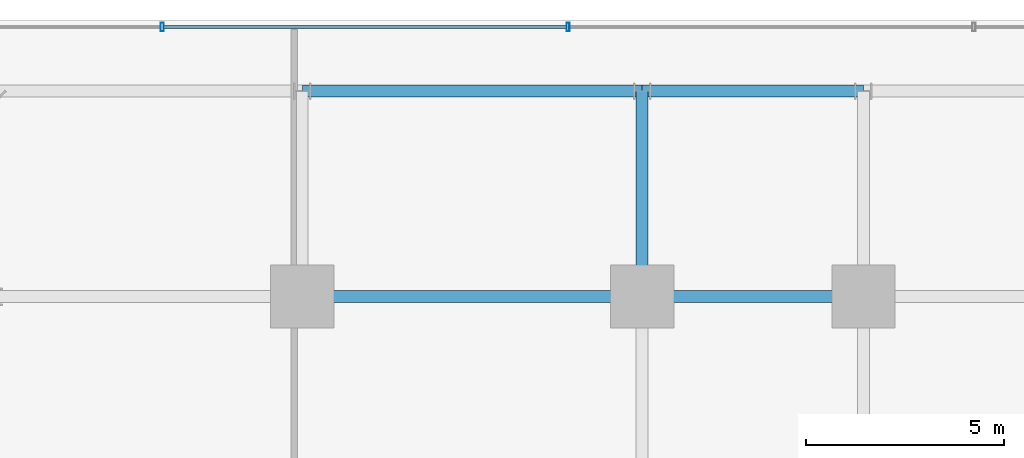
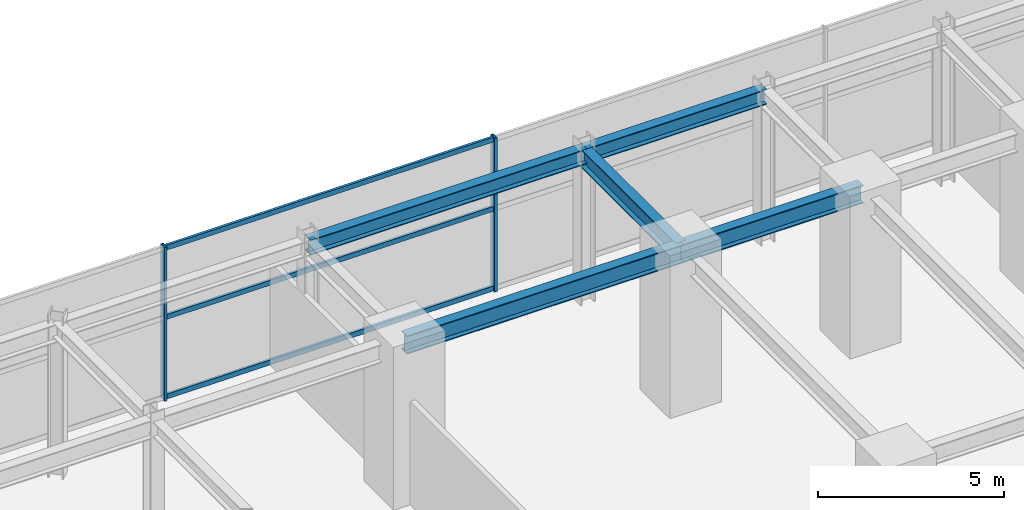
# One storey, part 16 of 32: 5 beams, 5 members, 1 element without a shape of its own.
"""IFC4 building model written with IfcOpenShell, lengths in metres."""

from ifc_helpers import new_model, si_unit, direction, frame, origin, origin_2d, place, context, subcontext, project, spatial, hollow_rectangle, i_section, extrude, source, transform, mapped, material, material_profile, profile_set, type_object, element, aggregate, save


model = new_model("IFC4")

# Units and contexts
model_context = context("Model", 3, precision=1e-05, world=origin(), true_north=direction((0.0, 1.0)))
body_context = subcontext(model_context, "Body", "Model", "MODEL_VIEW")
ifc_project = project(units=[si_unit("LENGTHUNIT", "METRE"), si_unit("AREAUNIT", "SQUARE_METRE"), si_unit("VOLUMEUNIT", "CUBIC_METRE"), si_unit("PLANEANGLEUNIT", "RADIAN"), si_unit("MASSUNIT", "GRAM", prefix="KILO")], contexts=[model_context])

# Site, building, storey
site_placement = place(None, origin())
site = spatial("IfcSite", under=ifc_project, at=site_placement, CompositionType="ELEMENT")
building_placement = place(site_placement, origin())
building = spatial("IfcBuilding", under=site, at=building_placement, Name="Nahalor Promenade Grand Hotel", CompositionType="ELEMENT")
storey_placement = place(building_placement, frame((0.0, 0.0, 10.800048828125)))
storey = spatial("IfcBuildingStorey", under=building, at=storey_placement, Name="L02", CompositionType="ELEMENT", Elevation=10.800048828125)

# Beams
ifc_material_1 = material(Name="Steel S355JR", Category="steel")
ifc_material_profile_1 = material_profile(ifc_material_1, i_section(OverallWidth=0.3, OverallDepth=0.6, WebThickness=0.0155, FlangeThickness=0.03, at=origin_2d()), Name="HEB 600")
ifc_profile_set_1 = profile_set([ifc_material_profile_1], Name="Steel S355JR")
beam_type_1 = type_object("IfcBeamType", Name="Beam-Girder-HEB600", PredefinedType="BEAM", material=ifc_profile_set_1)
shared_shape_1 = source(origin(), body_context, "Body", "SweptSolid", [
    extrude(i_section(OverallWidth=0.3, OverallDepth=0.6, WebThickness=0.0155, FlangeThickness=0.03, at=origin_2d()), origin(), (0.0, 0.0, 1.0), 8.60009765625),
])
beam_1_placement = place(storey_placement, frame((-17.0, 17.0, 4.760009765625), z_axis=(1.0, 0.0, 0.0), x_axis=(0.0, 1.0, 0.0)))
element("IfcBeam", 1, at=beam_1_placement, inside=storey, type_object=beam_type_1, Name="BM-L02-GX-3-2", PredefinedType="BEAM", context=body_context, shape_type="MappedRepresentation", body=[
    mapped(shared_shape_1, transform((0.0, 0.0, 0.0), scale=1.0)),
])
shared_shape_2 = source(origin(), body_context, "Body", "SweptSolid", [
    extrude(i_section(OverallWidth=0.3, OverallDepth=0.6, WebThickness=0.0155, FlangeThickness=0.03, at=origin_2d()), origin(), (0.0, 0.0, 1.0), 5.599853515625),
])
beam_2_placement = place(storey_placement, frame((-8.39990234375, 17.0, 4.760009765625), z_axis=(1.0, 0.0, 0.0), x_axis=(0.0, 1.0, 0.0)))
element("IfcBeam", 2, at=beam_2_placement, inside=storey, type_object=beam_type_1, Name="BM-L02-GX-3-3", PredefinedType="BEAM", context=body_context, shape_type="MappedRepresentation", body=[
    mapped(shared_shape_2, transform((0.0, 0.0, 0.0), scale=1.0)),
])
shared_shape_3 = source(origin(), body_context, "Body", "SweptSolid", [
    extrude(i_section(OverallWidth=0.3, OverallDepth=0.6, WebThickness=0.0155, FlangeThickness=0.03, at=origin_2d()), origin(), (0.0, 0.0, 1.0), 5.199951171875),
])
beam_3_placement = place(storey_placement, frame((-8.39990234375, 17.0, 4.760009765625), z_axis=(0.0, 1.0, 0.0), x_axis=(-1.0, 0.0, 0.0)))
element("IfcBeam", 3, at=beam_3_placement, inside=storey, type_object=beam_type_1, Name="BM-L02-GY-1-4", PredefinedType="BEAM", context=body_context, shape_type="MappedRepresentation", body=[
    mapped(shared_shape_3, transform((0.0, 0.0, 0.0), scale=1.0)),
])
ifc_material_profile_2 = material_profile(ifc_material_1, i_section(OverallWidth=0.3, OverallDepth=0.5, WebThickness=0.0145, FlangeThickness=0.028, at=origin_2d()), Name="HEB 500")
ifc_profile_set_2 = profile_set([ifc_material_profile_2], Name="Steel S355JR")
beam_type_2 = type_object("IfcBeamType", Name="Beam-Spandrel-HEB500", PredefinedType="SPANDREL", material=ifc_profile_set_2)
shared_shape_4 = source(origin(), body_context, "Body", "SweptSolid", [
    extrude(i_section(OverallWidth=0.3, OverallDepth=0.5, WebThickness=0.0145, FlangeThickness=0.028, at=origin_2d()), origin(), (0.0, 0.0, 1.0), 8.60009765625),
])
beam_4_placement = place(storey_placement, frame((-17.0, 22.199951171875, 4.81005859375), z_axis=(1.0, 0.0, 0.0), x_axis=(0.0, 1.0, 0.0)))
element("IfcBeam", 4, at=beam_4_placement, inside=storey, type_object=beam_type_2, Name="BM-L02-SP-N-0", PredefinedType="SPANDREL", context=body_context, shape_type="MappedRepresentation", body=[
    mapped(shared_shape_4, transform((0.0, 0.0, 0.0), scale=1.0)),
])
shared_shape_5 = source(origin(), body_context, "Body", "SweptSolid", [
    extrude(i_section(OverallWidth=0.3, OverallDepth=0.5, WebThickness=0.0145, FlangeThickness=0.028, at=origin_2d()), origin(), (0.0, 0.0, 1.0), 5.599853515625),
])
beam_5_placement = place(storey_placement, frame((-8.39990234375, 22.199951171875, 4.81005859375), z_axis=(1.0, 0.0, 0.0), x_axis=(0.0, 1.0, 0.0)))
element("IfcBeam", 5, at=beam_5_placement, inside=storey, type_object=beam_type_2, Name="BM-L02-SP-N-1", PredefinedType="SPANDREL", context=body_context, shape_type="MappedRepresentation", body=[
    mapped(shared_shape_5, transform((0.0, 0.0, 0.0), scale=1.0)),
])

# Curtain wall, members
ifc_material_2 = material(Name="Anodised Bronze Aluminium EN AW-6063 T6", Category="aluminium")
curtain_wall_type = type_object("IfcCurtainWallType", Name="CW1 Waterfront Podium Bronze Arcade Curtain Wall", PredefinedType="USERDEFINED", material=ifc_material_2)
curtain_wall_placement = place(storey_placement, origin())
curtain_wall = element("IfcCurtainWall", 6, at=curtain_wall_placement, inside=storey, type_object=curtain_wall_type, Name="L02 Curtain Wall CW-L02-N", ObjectType="UNITISED_CURTAIN_WALL", PredefinedType="USERDEFINED")
ifc_material_profile_3 = material_profile(ifc_material_2, hollow_rectangle(XDim=0.08, YDim=0.22, WallThickness=0.005, at=origin_2d()), Name="CWM 80x220x5")
ifc_profile_set_3 = profile_set([ifc_material_profile_3], Name="Anodised Bronze Aluminium EN AW-6063 T6")
member_type_1 = type_object("IfcMemberType", Name="CWM1 Podium Bronze Mullion 80x220", PredefinedType="MULLION", material=ifc_profile_set_3)
shared_shape_6 = source(origin(), body_context, "Body", "SweptSolid", [
    extrude(hollow_rectangle(XDim=0.08, YDim=0.22, WallThickness=0.005, at=origin_2d()), origin(), (0.0, 0.0, 1.0), 5.06005859375),
])
member_1_placement = place(storey_placement, frame((-20.546630859375, 23.820068359375, 0.0), z_axis=(0.0, 0.0, 1.0), x_axis=(1.0, 0.0, 0.0)))
member_1 = element("IfcMember", 7, at=member_1_placement, type_object=member_type_1, Name="CW-L02-N Mullion 1", PredefinedType="MULLION", context=body_context, shape_type="MappedRepresentation", body=[
    mapped(shared_shape_6, transform((0.0, 0.0, 0.0), scale=1.0)),
])
member_2_placement = place(storey_placement, frame((-10.2734375, 23.820068359375, 0.0), z_axis=(0.0, 0.0, 1.0), x_axis=(1.0, 0.0, 0.0)))
member_2 = element("IfcMember", 8, at=member_2_placement, type_object=member_type_1, Name="CW-L02-N Mullion 2", PredefinedType="MULLION", context=body_context, shape_type="MappedRepresentation", body=[
    mapped(shared_shape_6, transform((0.0, 0.0, 0.0), scale=1.0)),
])
ifc_material_profile_4 = material_profile(ifc_material_2, hollow_rectangle(XDim=0.08, YDim=0.16, WallThickness=0.004, at=origin_2d()), Name="CWT 80x160x4")
ifc_profile_set_4 = profile_set([ifc_material_profile_4], Name="Anodised Bronze Aluminium EN AW-6063 T6")
member_type_2 = type_object("IfcMemberType", Name="CWT1 Podium Bronze Transom 80x160", PredefinedType="USERDEFINED", material=ifc_profile_set_4)
shared_shape_7 = source(origin(), body_context, "Body", "SweptSolid", [
    extrude(hollow_rectangle(XDim=0.08, YDim=0.16, WallThickness=0.004, at=origin_2d()), origin(), (0.0, 0.0, 1.0), 10.193359375),
])
member_3_placement = place(storey_placement, frame((-20.506591796875, 23.820068359375, 0.079833984375), z_axis=(1.0, 0.0, 0.0), x_axis=(0.0, 1.0, 0.0)))
member_3 = element("IfcMember", 9, at=member_3_placement, type_object=member_type_2, Name="CW-L02-N Transom 1-0", ObjectType="TRANSOM", PredefinedType="USERDEFINED", context=body_context, shape_type="MappedRepresentation", body=[
    mapped(shared_shape_7, transform((0.0, 0.0, 0.0), scale=1.0)),
])
member_4_placement = place(storey_placement, frame((-20.506591796875, 23.820068359375, 2.699951171875), z_axis=(1.0, 0.0, 0.0), x_axis=(0.0, 1.0, 0.0)))
member_4 = element("IfcMember", 10, at=member_4_placement, type_object=member_type_2, Name="CW-L02-N Transom 1-1", ObjectType="TRANSOM", PredefinedType="USERDEFINED", context=body_context, shape_type="MappedRepresentation", body=[
    mapped(shared_shape_7, transform((0.0, 0.0, 0.0), scale=1.0)),
])
member_5_placement = place(storey_placement, frame((-20.506591796875, 23.820068359375, 4.97998046875), z_axis=(1.0, 0.0, 0.0), x_axis=(0.0, 1.0, 0.0)))
member_5 = element("IfcMember", 11, at=member_5_placement, type_object=member_type_2, Name="CW-L02-N Transom 1-2", ObjectType="TRANSOM", PredefinedType="USERDEFINED", context=body_context, shape_type="MappedRepresentation", body=[
    mapped(shared_shape_7, transform((0.0, 0.0, 0.0), scale=1.0)),
])
aggregate(curtain_wall, [member_1, member_2, member_3, member_4, member_5])

save(model, "model.ifc")
